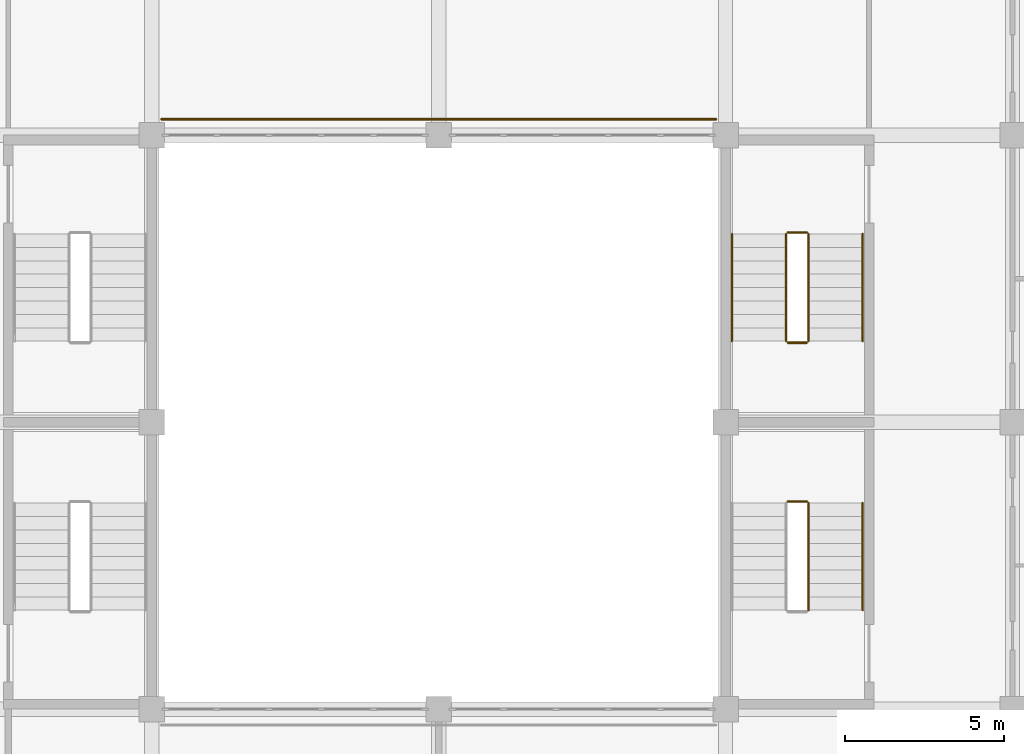
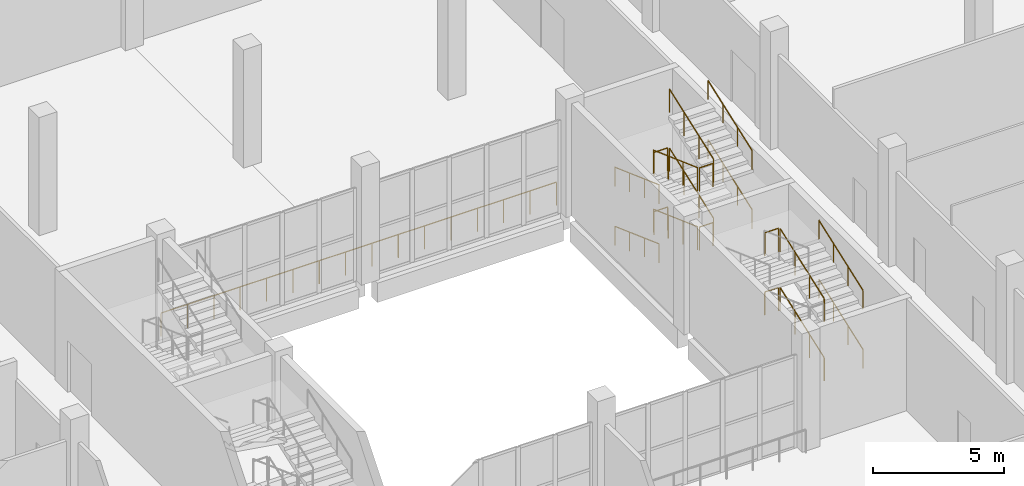
# One storey, part 166 of 185: 19 railings.
"""IFC4 building model written with IfcOpenShell, lengths in metres."""

from ifc_helpers import new_model, si_unit, direction, frame, origin, origin_2d, place, context, subcontext, project, spatial, circle, extrude, material, constituent, constituent_set, type_object, element, save


model = new_model("IFC4")

# Units and contexts
model_context = context("Model", 3, precision=1e-05, world=origin(), true_north=direction((0.0, 1.0)))
body_context = subcontext(model_context, "Body", "Model", "MODEL_VIEW")
ifc_project = project(units=[si_unit("LENGTHUNIT", "METRE"), si_unit("AREAUNIT", "SQUARE_METRE"), si_unit("VOLUMEUNIT", "CUBIC_METRE"), si_unit("PLANEANGLEUNIT", "RADIAN"), si_unit("MASSUNIT", "GRAM", prefix="KILO")], contexts=[model_context])

# Site, building, storey
site_placement = place(None, origin())
site = spatial("IfcSite", under=ifc_project, at=site_placement, CompositionType="ELEMENT")
building_placement = place(site_placement, origin())
building = spatial("IfcBuilding", under=site, at=building_placement, Name="Opaline Strait Convention Centre", CompositionType="ELEMENT")
storey_placement = place(building_placement, frame((0.0, 0.0, 6.0)))
storey = spatial("IfcBuildingStorey", under=building, at=storey_placement, Name="L01", CompositionType="ELEMENT", Elevation=6.0)

# Railings
ifc_material_1 = material(Name="Steel Q235B", Category="steel")
ifc_constituent_1 = constituent(ifc_material_1, Name="Frame")
ifc_material_2 = material(Name="Safety glass, bonded interlayer", Category="glass")
ifc_constituent_2 = constituent(ifc_material_2, Name="Infill")
ifc_constituent_set_1 = constituent_set(constituents=[ifc_constituent_1, ifc_constituent_2], Name="Steel Q235B, Safety glass, bonded interlayer")
railing_type_1 = type_object("IfcRailingType", Name="Court guard 1100 Q235B and glass", PredefinedType="GUARDRAIL", material=ifc_constituent_set_1)
railing_1_placement = place(storey_placement, frame((36.300048828125, 63.5, 0.0)))
element("IfcRailing", 1, at=railing_1_placement, inside=storey, type_object=railing_type_1, Name="L01 court edge guard N", PredefinedType="GUARDRAIL", context=body_context, shape_type="SweptSolid", body=[
    extrude(circle(Radius=0.02392578125, at=origin_2d()), frame((0.0, 0.0, 1.076171875), z_axis=(1.0, 0.0, 0.0), x_axis=(0.0, 1.0, 0.0)), (0.0, 0.0, 1.0), 17.39990234375),
    extrude(circle(Radius=0.02099609375, at=origin_2d()), origin(), (0.0, 0.0, 1.0), 1.052001953125),
    extrude(circle(Radius=0.02099609375, at=origin_2d()), frame((1.159912109375, 0.0, 0.0)), (0.0, 0.0, 1.0), 1.052001953125),
    extrude(circle(Radius=0.02099609375, at=origin_2d()), frame((2.320068359375, 0.0, 0.0)), (0.0, 0.0, 1.0), 1.052001953125),
    extrude(circle(Radius=0.02099609375, at=origin_2d()), frame((3.47998046875, 0.0, 0.0)), (0.0, 0.0, 1.0), 1.052001953125),
    extrude(circle(Radius=0.02099609375, at=origin_2d()), frame((4.639892578125, 0.0, 0.0)), (0.0, 0.0, 1.0), 1.052001953125),
    extrude(circle(Radius=0.02099609375, at=origin_2d()), frame((5.800048828125, 0.0, 0.0)), (0.0, 0.0, 1.0), 1.052001953125),
    extrude(circle(Radius=0.02099609375, at=origin_2d()), frame((6.9599609375, 0.0, 0.0)), (0.0, 0.0, 1.0), 1.052001953125),
    extrude(circle(Radius=0.02099609375, at=origin_2d()), frame((8.119873046875, 0.0, 0.0)), (0.0, 0.0, 1.0), 1.052001953125),
    extrude(circle(Radius=0.02099609375, at=origin_2d()), frame((9.280029296875, 0.0, 0.0)), (0.0, 0.0, 1.0), 1.052001953125),
    extrude(circle(Radius=0.02099609375, at=origin_2d()), frame((10.43994140625, 0.0, 0.0)), (0.0, 0.0, 1.0), 1.052001953125),
    extrude(circle(Radius=0.02099609375, at=origin_2d()), frame((11.599853515625, 0.0, 0.0)), (0.0, 0.0, 1.0), 1.052001953125),
    extrude(circle(Radius=0.02099609375, at=origin_2d()), frame((12.760009765625, 0.0, 0.0)), (0.0, 0.0, 1.0), 1.052001953125),
    extrude(circle(Radius=0.02099609375, at=origin_2d()), frame((13.919921875, 0.0, 0.0)), (0.0, 0.0, 1.0), 1.052001953125),
    extrude(circle(Radius=0.02099609375, at=origin_2d()), frame((15.079833984375, 0.0, 0.0)), (0.0, 0.0, 1.0), 1.052001953125),
    extrude(circle(Radius=0.02099609375, at=origin_2d()), frame((16.239990234375, 0.0, 0.0)), (0.0, 0.0, 1.0), 1.052001953125),
    extrude(circle(Radius=0.02099609375, at=origin_2d()), frame((17.39990234375, 0.0, 0.0)), (0.0, 0.0, 1.0), 1.052001953125),
])
ifc_constituent_3 = constituent(ifc_material_1, Name="Frame")
ifc_constituent_4 = constituent(ifc_material_2, Name="Infill")
ifc_constituent_set_2 = constituent_set(constituents=[ifc_constituent_3, ifc_constituent_4], Name="Steel Q235B, Safety glass, bonded interlayer")
railing_type_2 = type_object("IfcRailingType", Name="Stair guard 1100 Q235B and glass", PredefinedType="GUARDRAIL", material=ifc_constituent_set_2)
railing_2_placement = place(storey_placement, frame((56.60009765625, 48.10009765625, 0.15283203125)))
element("IfcRailing", 2, at=railing_2_placement, inside=storey, type_object=railing_type_2, Name="L01 ME1 stair guard 1", PredefinedType="GUARDRAIL", context=body_context, shape_type="SweptSolid", body=[
    extrude(circle(Radius=0.02392578125, at=origin_2d()), frame((0.0, 0.0, 1.076171875), z_axis=(0.0, 0.93975753056, 0.341841752506), x_axis=(-1.0, 0.0, 0.0)), (0.0, 0.0, 1.0), 3.5751953125),
    extrude(circle(Radius=0.02099609375, at=origin_2d()), origin(), (0.0, 0.0, 1.0), 1.052001953125),
    extrude(circle(Radius=0.02099609375, at=origin_2d()), frame((0.0, 1.119873046875, 0.407470703125)), (0.0, 0.0, 1.0), 1.052001953125),
    extrude(circle(Radius=0.02099609375, at=origin_2d()), frame((0.0, 2.239990234375, 0.814697265625)), (0.0, 0.0, 1.0), 1.052001953125),
    extrude(circle(Radius=0.02099609375, at=origin_2d()), frame((0.0, 3.35986328125, 1.22216796875)), (0.0, 0.0, 1.0), 1.052001953125),
])
railing_3_placement = place(storey_placement, frame((56.550048828125, 51.510009765625, 1.375)))
element("IfcRailing", 3, at=railing_3_placement, inside=storey, type_object=railing_type_2, Name="L01 ME1 stair guard 2", PredefinedType="GUARDRAIL", context=body_context, shape_type="SweptSolid", body=[
    extrude(circle(Radius=0.02392578125, at=origin_2d()), frame((0.0, 0.0, 1.076171875), z_axis=(-1.0, 0.0, 0.0), x_axis=(0.0, -1.0, 0.0)), (0.0, 0.0, 1.0), 0.60009765625),
    extrude(circle(Radius=0.02099609375, at=origin_2d()), origin(), (0.0, 0.0, 1.0), 1.052001953125),
    extrude(circle(Radius=0.02099609375, at=origin_2d()), frame((-0.60009765625, 0.0, 0.0)), (0.0, 0.0, 1.0), 1.052001953125),
])
railing_4_placement = place(storey_placement, frame((56.60009765625, 48.10009765625, 2.90283203125)))
element("IfcRailing", 4, at=railing_4_placement, inside=storey, type_object=railing_type_2, Name="L01 ME1 stair guard 5", PredefinedType="GUARDRAIL", context=body_context, shape_type="SweptSolid", body=[
    extrude(circle(Radius=0.02392578125, at=origin_2d()), frame((0.0, 0.0, 1.076171875), z_axis=(0.0, 0.93975753056, 0.341841752506), x_axis=(-1.0, 0.0, 0.0)), (0.0, 0.0, 1.0), 3.5751953125),
    extrude(circle(Radius=0.02099609375, at=origin_2d()), origin(), (0.0, 0.0, 1.0), 1.052001953125),
    extrude(circle(Radius=0.02099609375, at=origin_2d()), frame((0.0, 1.119873046875, 0.407470703125)), (0.0, 0.0, 1.0), 1.052001953125),
    extrude(circle(Radius=0.02099609375, at=origin_2d()), frame((0.0, 2.239990234375, 0.814697265625)), (0.0, 0.0, 1.0), 1.052001953125),
    extrude(circle(Radius=0.02099609375, at=origin_2d()), frame((0.0, 3.35986328125, 1.22216796875)), (0.0, 0.0, 1.0), 1.052001953125),
])
railing_5_placement = place(storey_placement, frame((56.550048828125, 51.510009765625, 4.125)))
element("IfcRailing", 5, at=railing_5_placement, inside=storey, type_object=railing_type_2, Name="L01 ME1 stair guard 6", PredefinedType="GUARDRAIL", context=body_context, shape_type="SweptSolid", body=[
    extrude(circle(Radius=0.02392578125, at=origin_2d()), frame((0.0, 0.0, 1.076171875), z_axis=(-1.0, 0.0, 0.0), x_axis=(0.0, -1.0, 0.0)), (0.0, 0.0, 1.0), 0.60009765625),
    extrude(circle(Radius=0.02099609375, at=origin_2d()), origin(), (0.0, 0.0, 1.0), 1.052001953125),
    extrude(circle(Radius=0.02099609375, at=origin_2d()), frame((-0.60009765625, 0.0, 0.0)), (0.0, 0.0, 1.0), 1.052001953125),
])
railing_6_placement = place(storey_placement, frame((55.89990234375, 59.89990234375, 0.15283203125)))
element("IfcRailing", 6, at=railing_6_placement, inside=storey, type_object=railing_type_2, Name="L01 ME2 stair guard 1", PredefinedType="GUARDRAIL", context=body_context, shape_type="SweptSolid", body=[
    extrude(circle(Radius=0.02392578125, at=origin_2d()), frame((0.0, 0.0, 1.076171875), z_axis=(0.0, -0.93975753056, 0.341841752506), x_axis=(1.0, 0.0, 0.0)), (0.0, 0.0, 1.0), 3.5751953125),
    extrude(circle(Radius=0.02099609375, at=origin_2d()), origin(), (0.0, 0.0, 1.0), 1.052001953125),
    extrude(circle(Radius=0.02099609375, at=origin_2d()), frame((0.0, -1.119873046875, 0.407470703125)), (0.0, 0.0, 1.0), 1.052001953125),
    extrude(circle(Radius=0.02099609375, at=origin_2d()), frame((0.0, -2.239990234375, 0.814697265625)), (0.0, 0.0, 1.0), 1.052001953125),
    extrude(circle(Radius=0.02099609375, at=origin_2d()), frame((0.0, -3.35986328125, 1.22216796875)), (0.0, 0.0, 1.0), 1.052001953125),
])
railing_7_placement = place(storey_placement, frame((55.949951171875, 56.489990234375, 1.375)))
element("IfcRailing", 7, at=railing_7_placement, inside=storey, type_object=railing_type_2, Name="L01 ME2 stair guard 2", PredefinedType="GUARDRAIL", context=body_context, shape_type="SweptSolid", body=[
    extrude(circle(Radius=0.02392578125, at=origin_2d()), frame((0.0, 0.0, 1.076171875), z_axis=(1.0, 0.0, 0.0), x_axis=(0.0, 1.0, 0.0)), (0.0, 0.0, 1.0), 0.60009765625),
    extrude(circle(Radius=0.02099609375, at=origin_2d()), origin(), (0.0, 0.0, 1.0), 1.052001953125),
    extrude(circle(Radius=0.02099609375, at=origin_2d()), frame((0.60009765625, 0.0, 0.0)), (0.0, 0.0, 1.0), 1.052001953125),
])
railing_8_placement = place(storey_placement, frame((56.60009765625, 56.5400390625, 1.52783203125)))
element("IfcRailing", 8, at=railing_8_placement, inside=storey, type_object=railing_type_2, Name="L01 ME2 stair guard 3", PredefinedType="GUARDRAIL", context=body_context, shape_type="SweptSolid", body=[
    extrude(circle(Radius=0.02392578125, at=origin_2d()), frame((0.0, 0.0, 1.076171875), z_axis=(0.0, 0.93975753056, 0.341841752506), x_axis=(-1.0, 0.0, 0.0)), (0.0, 0.0, 1.0), 3.5751953125),
    extrude(circle(Radius=0.02099609375, at=origin_2d()), origin(), (0.0, 0.0, 1.0), 1.052001953125),
    extrude(circle(Radius=0.02099609375, at=origin_2d()), frame((0.0, 1.119873046875, 0.407470703125)), (0.0, 0.0, 1.0), 1.052001953125),
    extrude(circle(Radius=0.02099609375, at=origin_2d()), frame((0.0, 2.239990234375, 0.814697265625)), (0.0, 0.0, 1.0), 1.052001953125),
    extrude(circle(Radius=0.02099609375, at=origin_2d()), frame((0.0, 3.35986328125, 1.22216796875)), (0.0, 0.0, 1.0), 1.052001953125),
])
railing_9_placement = place(storey_placement, frame((55.949951171875, 59.949951171875, 2.75)))
element("IfcRailing", 9, at=railing_9_placement, inside=storey, type_object=railing_type_2, Name="L01 ME2 stair guard 4", PredefinedType="GUARDRAIL", context=body_context, shape_type="SweptSolid", body=[
    extrude(circle(Radius=0.02392578125, at=origin_2d()), frame((0.0, 0.0, 1.076171875), z_axis=(1.0, 0.0, 0.0), x_axis=(0.0, 1.0, 0.0)), (0.0, 0.0, 1.0), 0.60009765625),
    extrude(circle(Radius=0.02099609375, at=origin_2d()), origin(), (0.0, 0.0, 1.0), 1.052001953125),
    extrude(circle(Radius=0.02099609375, at=origin_2d()), frame((0.60009765625, 0.0, 0.0)), (0.0, 0.0, 1.0), 1.052001953125),
])
railing_10_placement = place(storey_placement, frame((55.89990234375, 59.89990234375, 2.90283203125)))
element("IfcRailing", 10, at=railing_10_placement, inside=storey, type_object=railing_type_2, Name="L01 ME2 stair guard 5", PredefinedType="GUARDRAIL", context=body_context, shape_type="SweptSolid", body=[
    extrude(circle(Radius=0.02392578125, at=origin_2d()), frame((0.0, 0.0, 1.076171875), z_axis=(0.0, -0.93975753056, 0.341841752506), x_axis=(1.0, 0.0, 0.0)), (0.0, 0.0, 1.0), 3.5751953125),
    extrude(circle(Radius=0.02099609375, at=origin_2d()), origin(), (0.0, 0.0, 1.0), 1.052001953125),
    extrude(circle(Radius=0.02099609375, at=origin_2d()), frame((0.0, -1.119873046875, 0.407470703125)), (0.0, 0.0, 1.0), 1.052001953125),
    extrude(circle(Radius=0.02099609375, at=origin_2d()), frame((0.0, -2.239990234375, 0.814697265625)), (0.0, 0.0, 1.0), 1.052001953125),
    extrude(circle(Radius=0.02099609375, at=origin_2d()), frame((0.0, -3.35986328125, 1.22216796875)), (0.0, 0.0, 1.0), 1.052001953125),
])
railing_11_placement = place(storey_placement, frame((55.949951171875, 56.489990234375, 4.125)))
element("IfcRailing", 11, at=railing_11_placement, inside=storey, type_object=railing_type_2, Name="L01 ME2 stair guard 6", PredefinedType="GUARDRAIL", context=body_context, shape_type="SweptSolid", body=[
    extrude(circle(Radius=0.02392578125, at=origin_2d()), frame((0.0, 0.0, 1.076171875), z_axis=(1.0, 0.0, 0.0), x_axis=(0.0, 1.0, 0.0)), (0.0, 0.0, 1.0), 0.60009765625),
    extrude(circle(Radius=0.02099609375, at=origin_2d()), origin(), (0.0, 0.0, 1.0), 1.052001953125),
    extrude(circle(Radius=0.02099609375, at=origin_2d()), frame((0.60009765625, 0.0, 0.0)), (0.0, 0.0, 1.0), 1.052001953125),
])
railing_12_placement = place(storey_placement, frame((56.60009765625, 56.5400390625, 4.27783203125)))
element("IfcRailing", 12, at=railing_12_placement, inside=storey, type_object=railing_type_2, Name="L01 ME2 stair guard 7", PredefinedType="GUARDRAIL", context=body_context, shape_type="SweptSolid", body=[
    extrude(circle(Radius=0.02392578125, at=origin_2d()), frame((0.0, 0.0, 1.076171875), z_axis=(0.0, 0.93975753056, 0.341841752506), x_axis=(-1.0, 0.0, 0.0)), (0.0, 0.0, 1.0), 3.5751953125),
    extrude(circle(Radius=0.02099609375, at=origin_2d()), origin(), (0.0, 0.0, 1.0), 1.052001953125),
    extrude(circle(Radius=0.02099609375, at=origin_2d()), frame((0.0, 1.119873046875, 0.407470703125)), (0.0, 0.0, 1.0), 1.052001953125),
    extrude(circle(Radius=0.02099609375, at=origin_2d()), frame((0.0, 2.239990234375, 0.814697265625)), (0.0, 0.0, 1.0), 1.052001953125),
    extrude(circle(Radius=0.02099609375, at=origin_2d()), frame((0.0, 3.35986328125, 1.22216796875)), (0.0, 0.0, 1.0), 1.052001953125),
])
railing_13_placement = place(storey_placement, frame((55.949951171875, 59.949951171875, 0.0)))
element("IfcRailing", 13, at=railing_13_placement, inside=storey, type_object=railing_type_2, Name="L01 ME2 stair guard 8", PredefinedType="GUARDRAIL", context=body_context, shape_type="SweptSolid", body=[
    extrude(circle(Radius=0.02392578125, at=origin_2d()), frame((0.0, 0.0, 1.076171875), z_axis=(1.0, 0.0, 0.0), x_axis=(0.0, 1.0, 0.0)), (0.0, 0.0, 1.0), 0.60009765625),
    extrude(circle(Radius=0.02099609375, at=origin_2d()), origin(), (0.0, 0.0, 1.0), 1.052001953125),
    extrude(circle(Radius=0.02099609375, at=origin_2d()), frame((0.60009765625, 0.0, 0.0)), (0.0, 0.0, 1.0), 1.052001953125),
])
ifc_material_3 = material(Name="Stainless steel 304", Category="steel")
railing_type_3 = type_object("IfcRailingType", Name="Stair handrail 900 stainless 304", PredefinedType="HANDRAIL", material=ifc_material_3)
for number, where, name in (
    (14, (58.300048828125, 48.10009765625, 0.15283203125), "L01 ME1 stair handrail 1"),
    (15, (58.300048828125, 48.10009765625, 2.90283203125), "L01 ME1 stair handrail 3"),
):
    element("IfcRailing", number, at=place(storey_placement, frame(where)), inside=storey, type_object=railing_type_3, Name=name, PredefinedType="HANDRAIL", context=body_context, shape_type="SweptSolid", body=[
        extrude(circle(Radius=0.02392578125, at=origin_2d()), frame((0.0, 0.0, 0.8759765625), z_axis=(0.0, 0.93975753056, 0.341841752506), x_axis=(-1.0, 0.0, 0.0)), (0.0, 0.0, 1.0), 3.5751953125),
        extrude(circle(Radius=0.02099609375, at=origin_2d()), origin(), (0.0, 0.0, 1.0), 0.851806640625),
        extrude(circle(Radius=0.02099609375, at=origin_2d()), frame((0.0, 1.119873046875, 0.407470703125)), (0.0, 0.0, 1.0), 0.851806640625),
        extrude(circle(Radius=0.02099609375, at=origin_2d()), frame((0.0, 2.239990234375, 0.814697265625)), (0.0, 0.0, 1.0), 0.851806640625),
        extrude(circle(Radius=0.02099609375, at=origin_2d()), frame((0.0, 3.35986328125, 1.22216796875)), (0.0, 0.0, 1.0), 0.851806640625),
    ])
railing_14_placement = place(storey_placement, frame((54.199951171875, 59.89990234375, 0.15283203125)))
element("IfcRailing", 16, at=railing_14_placement, inside=storey, type_object=railing_type_3, Name="L01 ME2 stair handrail 1", PredefinedType="HANDRAIL", context=body_context, shape_type="SweptSolid", body=[
    extrude(circle(Radius=0.02392578125, at=origin_2d()), frame((0.0, 0.0, 0.8759765625), z_axis=(0.0, -0.93975753056, 0.341841752506), x_axis=(1.0, 0.0, 0.0)), (0.0, 0.0, 1.0), 3.5751953125),
    extrude(circle(Radius=0.02099609375, at=origin_2d()), origin(), (0.0, 0.0, 1.0), 0.851806640625),
    extrude(circle(Radius=0.02099609375, at=origin_2d()), frame((0.0, -1.119873046875, 0.407470703125)), (0.0, 0.0, 1.0), 0.851806640625),
    extrude(circle(Radius=0.02099609375, at=origin_2d()), frame((0.0, -2.239990234375, 0.814697265625)), (0.0, 0.0, 1.0), 0.851806640625),
    extrude(circle(Radius=0.02099609375, at=origin_2d()), frame((0.0, -3.35986328125, 1.22216796875)), (0.0, 0.0, 1.0), 0.851806640625),
])
railing_15_placement = place(storey_placement, frame((58.300048828125, 56.5400390625, 1.52783203125)))
element("IfcRailing", 17, at=railing_15_placement, inside=storey, type_object=railing_type_3, Name="L01 ME2 stair handrail 2", PredefinedType="HANDRAIL", context=body_context, shape_type="SweptSolid", body=[
    extrude(circle(Radius=0.02392578125, at=origin_2d()), frame((0.0, 0.0, 0.8759765625), z_axis=(0.0, 0.93975753056, 0.341841752506), x_axis=(-1.0, 0.0, 0.0)), (0.0, 0.0, 1.0), 3.5751953125),
    extrude(circle(Radius=0.02099609375, at=origin_2d()), origin(), (0.0, 0.0, 1.0), 0.851806640625),
    extrude(circle(Radius=0.02099609375, at=origin_2d()), frame((0.0, 1.119873046875, 0.407470703125)), (0.0, 0.0, 1.0), 0.851806640625),
    extrude(circle(Radius=0.02099609375, at=origin_2d()), frame((0.0, 2.239990234375, 0.814697265625)), (0.0, 0.0, 1.0), 0.851806640625),
    extrude(circle(Radius=0.02099609375, at=origin_2d()), frame((0.0, 3.35986328125, 1.22216796875)), (0.0, 0.0, 1.0), 0.851806640625),
])
railing_16_placement = place(storey_placement, frame((54.199951171875, 59.89990234375, 2.90283203125)))
element("IfcRailing", 18, at=railing_16_placement, inside=storey, type_object=railing_type_3, Name="L01 ME2 stair handrail 3", PredefinedType="HANDRAIL", context=body_context, shape_type="SweptSolid", body=[
    extrude(circle(Radius=0.02392578125, at=origin_2d()), frame((0.0, 0.0, 0.8759765625), z_axis=(0.0, -0.93975753056, 0.341841752506), x_axis=(1.0, 0.0, 0.0)), (0.0, 0.0, 1.0), 3.5751953125),
    extrude(circle(Radius=0.02099609375, at=origin_2d()), origin(), (0.0, 0.0, 1.0), 0.851806640625),
    extrude(circle(Radius=0.02099609375, at=origin_2d()), frame((0.0, -1.119873046875, 0.407470703125)), (0.0, 0.0, 1.0), 0.851806640625),
    extrude(circle(Radius=0.02099609375, at=origin_2d()), frame((0.0, -2.239990234375, 0.814697265625)), (0.0, 0.0, 1.0), 0.851806640625),
    extrude(circle(Radius=0.02099609375, at=origin_2d()), frame((0.0, -3.35986328125, 1.22216796875)), (0.0, 0.0, 1.0), 0.851806640625),
])
railing_17_placement = place(storey_placement, frame((58.300048828125, 56.5400390625, 4.27783203125)))
element("IfcRailing", 19, at=railing_17_placement, inside=storey, type_object=railing_type_3, Name="L01 ME2 stair handrail 4", PredefinedType="HANDRAIL", context=body_context, shape_type="SweptSolid", body=[
    extrude(circle(Radius=0.02392578125, at=origin_2d()), frame((0.0, 0.0, 0.8759765625), z_axis=(0.0, 0.93975753056, 0.341841752506), x_axis=(-1.0, 0.0, 0.0)), (0.0, 0.0, 1.0), 3.5751953125),
    extrude(circle(Radius=0.02099609375, at=origin_2d()), origin(), (0.0, 0.0, 1.0), 0.851806640625),
    extrude(circle(Radius=0.02099609375, at=origin_2d()), frame((0.0, 1.119873046875, 0.407470703125)), (0.0, 0.0, 1.0), 0.851806640625),
    extrude(circle(Radius=0.02099609375, at=origin_2d()), frame((0.0, 2.239990234375, 0.814697265625)), (0.0, 0.0, 1.0), 0.851806640625),
    extrude(circle(Radius=0.02099609375, at=origin_2d()), frame((0.0, 3.35986328125, 1.22216796875)), (0.0, 0.0, 1.0), 0.851806640625),
])

save(model, "model.ifc")
